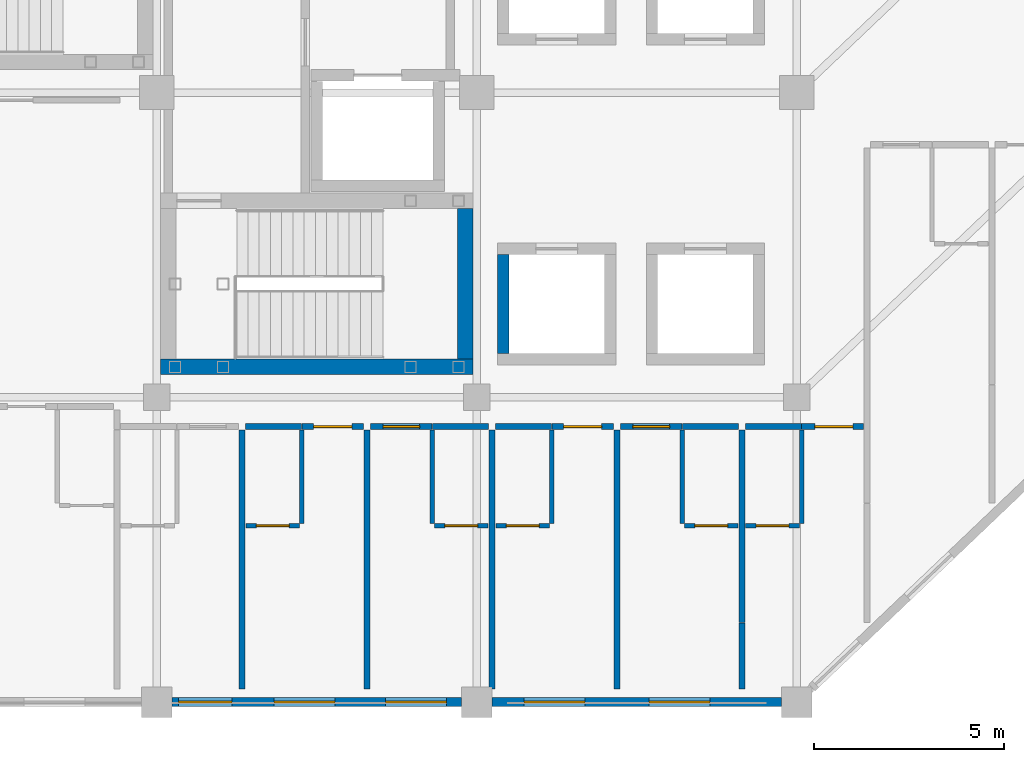
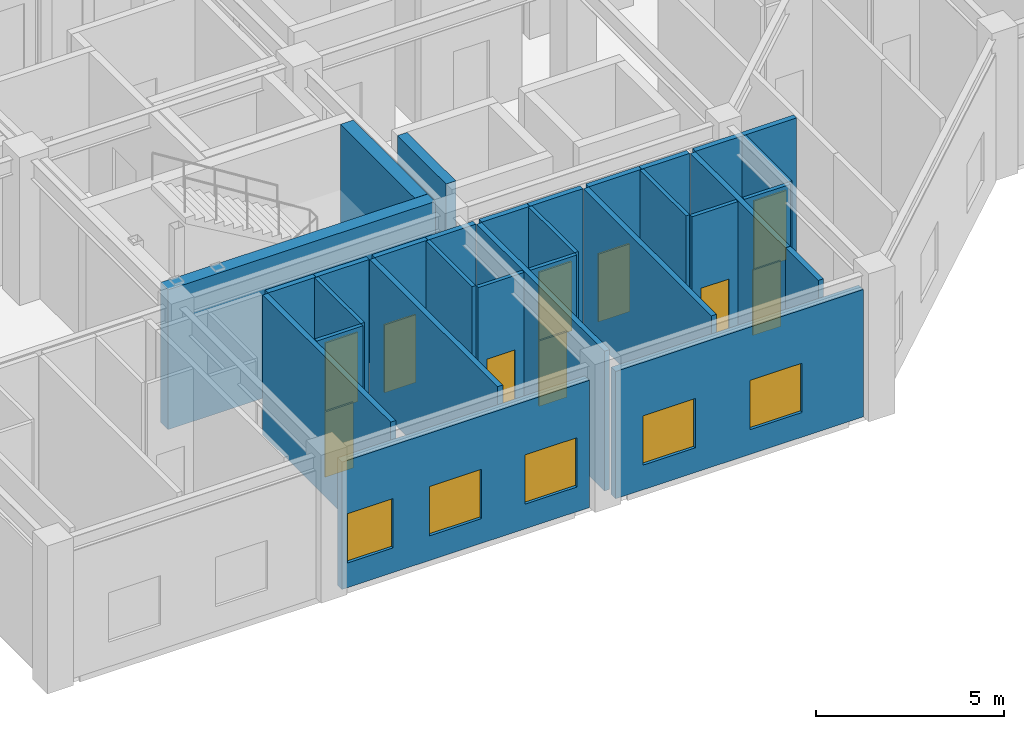
# One storey, part 24 of 37: 31 walls, 10 doors, 5 windows, 15 openings.
"""IFC4 building model written with IfcOpenShell, lengths in metres."""

from ifc_helpers import new_model, si_unit, direction, frame, frame_2d, origin, place, context, subcontext, project, spatial, rectangle, extrude, material, layer, layer_set, type_object, element, fill, save


model = new_model("IFC4")

# Units and contexts
model_context = context("Model", 3, precision=1e-05, world=origin(), true_north=direction((0.0, 1.0)))
body_context = subcontext(model_context, "Body", "Model", "MODEL_VIEW")
ifc_project = project(units=[si_unit("LENGTHUNIT", "METRE"), si_unit("AREAUNIT", "SQUARE_METRE"), si_unit("VOLUMEUNIT", "CUBIC_METRE"), si_unit("PLANEANGLEUNIT", "RADIAN"), si_unit("MASSUNIT", "GRAM", prefix="KILO")], contexts=[model_context])

# Site, building, storey
site_placement = place(None, origin())
site = spatial("IfcSite", under=ifc_project, at=site_placement, CompositionType="ELEMENT")
building_placement = place(site_placement, origin())
building = spatial("IfcBuilding", under=site, at=building_placement, Name="Naruveol Harbour Congress Hotel", CompositionType="ELEMENT")
storey_placement = place(building_placement, frame((0.0, 0.0, 16.199951171875)))
storey = spatial("IfcBuildingStorey", under=building, at=storey_placement, Name="L03", CompositionType="ELEMENT", Elevation=16.199951171875)

# Wall
ifc_material_1 = material(Name="Moisture-Resistant Gypsum Partition", Category="gypsum")
ifc_layer_1 = layer(ifc_material_1, 0.114990234375)
ifc_layer_set_1 = layer_set([ifc_layer_1], Name="Moisture-Resistant Gypsum Partition")
wall_type_1 = type_object("IfcWallType", Name="BATHROOM MOISTURE PARTITION WALL 115", PredefinedType="PARTITIONING", material=ifc_layer_set_1)
wall_1_placement = place(storey_placement, frame((129.81005859375, 4.68994140625, 0.0), z_axis=(0.0, 0.0, 1.0), x_axis=(0.0, 1.0, 0.0)))
element("IfcWall", 1, at=wall_1_placement, inside=storey, type_object=wall_type_1, Name="Bathroom east wall 0440 PW-115", PredefinedType="PARTITIONING", context=body_context, shape_type="SweptSolid", body=[
    extrude(rectangle(XDim=2.449951171875, YDim=0.114990234375, at=frame_2d((1.22509765625, 0.0))), origin(), (0.0, 0.0, 1.0), 4.53515625),
])

# Wall, opening, door
wall_2_placement = place(storey_placement, frame((128.340087890625, 4.6298828125, 0.0), z_axis=(0.0, 0.0, 1.0), x_axis=(1.0, 0.0, 0.0)))
wall_2 = element("IfcWall", 2, at=wall_2_placement, inside=storey, type_object=wall_type_1, Name="Bathroom south wall 0440 PW-115", PredefinedType="PARTITIONING", context=body_context, shape_type="SweptSolid", body=[
    extrude(rectangle(XDim=1.409912109375, YDim=0.114990234375, at=frame_2d((0.705078125, 0.0))), origin(), (0.0, 0.0, 1.0), 4.53515625),
])
opening_1_placement = place(wall_2_placement, frame((0.27490234375, 0.0, 0.0)))
opening_1 = element("IfcOpeningElement", 3, at=opening_1_placement, cuts=wall_2, Name="Opening BD-RM0440", PredefinedType="OPENING", context=body_context, shape_type="SweptSolid", body=[
    extrude(rectangle(XDim=0.860107421875, YDim=2.1201171875, at=frame_2d((0.43017578125, 1.06005859375))), frame((0.0, 0.0673828125, 0.0), z_axis=(0.0, -1.0, 0.0), x_axis=(1.0, 0.0, 0.0)), (0.0, 0.0, 1.0), 0.135009765625),
])
ifc_material_2 = material(Name="Timber & Steel Acoustic Leaf", Category="steel")
door_type_1 = type_object("IfcDoorType", Name="GUEST BATHROOM DOOR 860X2120", OperationType="NOTDEFINED", PredefinedType="DOOR", material=ifc_material_2)
door_1_placement = place(opening_1_placement, origin())
door_1 = element("IfcDoor", 4, at=door_1_placement, inside=storey, type_object=door_type_1, Name="Bathroom Door 0440", OperationType="SINGLE_SWING_RIGHT", OverallHeight=2.1201171875, OverallWidth=0.860107421875, PredefinedType="DOOR", context=body_context, shape_type="SweptSolid", body=[
    extrude(rectangle(XDim=0.860107421875, YDim=2.1201171875, at=frame_2d((0.43017578125, 1.06005859375))), frame((0.0, 0.02490234375, 0.0), z_axis=(0.0, -1.0, 0.0), x_axis=(1.0, 0.0, 0.0)), (0.0, 0.0, 1.0), 0.050048828125),
])
fill(opening_1, door_1)

# Wall
wall_3_placement = place(storey_placement, frame((133.22998046875, 4.68994140625, 0.0), z_axis=(0.0, 0.0, 1.0), x_axis=(0.0, 1.0, 0.0)))
element("IfcWall", 5, at=wall_3_placement, inside=storey, type_object=wall_type_1, Name="Bathroom west wall 0441 PW-115", PredefinedType="PARTITIONING", context=body_context, shape_type="SweptSolid", body=[
    extrude(rectangle(XDim=2.449951171875, YDim=0.114990234375, at=frame_2d((1.22509765625, 0.0))), origin(), (0.0, 0.0, 1.0), 4.53515625),
])

# Wall, opening, door
wall_4_placement = place(storey_placement, frame((133.2900390625, 4.6298828125, 0.0), z_axis=(0.0, 0.0, 1.0), x_axis=(1.0, 0.0, 0.0)))
wall_4 = element("IfcWall", 6, at=wall_4_placement, inside=storey, type_object=wall_type_1, Name="Bathroom south wall 0441 PW-115", PredefinedType="PARTITIONING", context=body_context, shape_type="SweptSolid", body=[
    extrude(rectangle(XDim=1.409912109375, YDim=0.114990234375, at=frame_2d((0.705078125, 0.0))), origin(), (0.0, 0.0, 1.0), 4.53515625),
])
opening_2_placement = place(wall_4_placement, frame((0.27490234375, 0.0, 0.0)))
opening_2 = element("IfcOpeningElement", 7, at=opening_2_placement, cuts=wall_4, Name="Opening BD-RM0441", PredefinedType="OPENING", context=body_context, shape_type="SweptSolid", body=[
    extrude(rectangle(XDim=0.860107421875, YDim=2.1201171875, at=frame_2d((0.43017578125, 1.06005859375))), frame((0.0, 0.0673828125, 0.0), z_axis=(0.0, -1.0, 0.0), x_axis=(1.0, 0.0, 0.0)), (0.0, 0.0, 1.0), 0.135009765625),
])
door_2_placement = place(opening_2_placement, origin())
door_2 = element("IfcDoor", 8, at=door_2_placement, inside=storey, type_object=door_type_1, Name="Bathroom Door 0441", OperationType="SINGLE_SWING_RIGHT", OverallHeight=2.1201171875, OverallWidth=0.860107421875, PredefinedType="DOOR", context=body_context, shape_type="SweptSolid", body=[
    extrude(rectangle(XDim=0.860107421875, YDim=2.1201171875, at=frame_2d((0.43017578125, 1.06005859375))), frame((0.0, 0.02490234375, 0.0), z_axis=(0.0, -1.0, 0.0), x_axis=(1.0, 0.0, 0.0)), (0.0, 0.0, 1.0), 0.050048828125),
])
fill(opening_2, door_2)

# Wall
wall_5_placement = place(storey_placement, frame((136.3701171875, 4.68994140625, 0.0), z_axis=(0.0, 0.0, 1.0), x_axis=(0.0, 1.0, 0.0)))
element("IfcWall", 9, at=wall_5_placement, inside=storey, type_object=wall_type_1, Name="Bathroom east wall 0442 PW-115", PredefinedType="PARTITIONING", context=body_context, shape_type="SweptSolid", body=[
    extrude(rectangle(XDim=2.449951171875, YDim=0.114990234375, at=frame_2d((1.22509765625, 0.0))), origin(), (0.0, 0.0, 1.0), 4.53515625),
])

# Wall, opening, door
wall_6_placement = place(storey_placement, frame((134.89990234375, 4.6298828125, 0.0), z_axis=(0.0, 0.0, 1.0), x_axis=(1.0, 0.0, 0.0)))
wall_6 = element("IfcWall", 10, at=wall_6_placement, inside=storey, type_object=wall_type_1, Name="Bathroom south wall 0442 PW-115", PredefinedType="PARTITIONING", context=body_context, shape_type="SweptSolid", body=[
    extrude(rectangle(XDim=1.41015625, YDim=0.114990234375, at=frame_2d((0.705078125, 0.0))), origin(), (0.0, 0.0, 1.0), 4.53515625),
])
opening_3_placement = place(wall_6_placement, frame((0.27490234375, 0.0, 0.0)))
opening_3 = element("IfcOpeningElement", 11, at=opening_3_placement, cuts=wall_6, Name="Opening BD-RM0442", PredefinedType="OPENING", context=body_context, shape_type="SweptSolid", body=[
    extrude(rectangle(XDim=0.860107421875, YDim=2.1201171875, at=frame_2d((0.43017578125, 1.06005859375))), frame((0.0, 0.0673828125, 0.0), z_axis=(0.0, -1.0, 0.0), x_axis=(1.0, 0.0, 0.0)), (0.0, 0.0, 1.0), 0.135009765625),
])
door_3_placement = place(opening_3_placement, origin())
door_3 = element("IfcDoor", 12, at=door_3_placement, inside=storey, type_object=door_type_1, Name="Bathroom Door 0442", OperationType="SINGLE_SWING_RIGHT", OverallHeight=2.1201171875, OverallWidth=0.860107421875, PredefinedType="DOOR", context=body_context, shape_type="SweptSolid", body=[
    extrude(rectangle(XDim=0.860107421875, YDim=2.1201171875, at=frame_2d((0.43017578125, 1.06005859375))), frame((0.0, 0.02490234375, 0.0), z_axis=(0.0, -1.0, 0.0), x_axis=(1.0, 0.0, 0.0)), (0.0, 0.0, 1.0), 0.050048828125),
])
fill(opening_3, door_3)

# Wall
wall_7_placement = place(storey_placement, frame((139.7900390625, 4.68994140625, 0.0), z_axis=(0.0, 0.0, 1.0), x_axis=(0.0, 1.0, 0.0)))
element("IfcWall", 13, at=wall_7_placement, inside=storey, type_object=wall_type_1, Name="Bathroom west wall 0443 PW-115", PredefinedType="PARTITIONING", context=body_context, shape_type="SweptSolid", body=[
    extrude(rectangle(XDim=2.449951171875, YDim=0.114990234375, at=frame_2d((1.22509765625, 0.0))), origin(), (0.0, 0.0, 1.0), 4.53515625),
])

# Wall, opening, door
wall_8_placement = place(storey_placement, frame((139.85009765625, 4.6298828125, 0.0), z_axis=(0.0, 0.0, 1.0), x_axis=(1.0, 0.0, 0.0)))
wall_8 = element("IfcWall", 14, at=wall_8_placement, inside=storey, type_object=wall_type_1, Name="Bathroom south wall 0443 PW-115", PredefinedType="PARTITIONING", context=body_context, shape_type="SweptSolid", body=[
    extrude(rectangle(XDim=1.409912109375, YDim=0.114990234375, at=frame_2d((0.705078125, 0.0))), origin(), (0.0, 0.0, 1.0), 4.53515625),
])
opening_4_placement = place(wall_8_placement, frame((0.27490234375, 0.0, 0.0)))
opening_4 = element("IfcOpeningElement", 15, at=opening_4_placement, cuts=wall_8, Name="Opening BD-RM0443", PredefinedType="OPENING", context=body_context, shape_type="SweptSolid", body=[
    extrude(rectangle(XDim=0.860107421875, YDim=2.1201171875, at=frame_2d((0.43017578125, 1.06005859375))), frame((0.0, 0.0673828125, 0.0), z_axis=(0.0, -1.0, 0.0), x_axis=(1.0, 0.0, 0.0)), (0.0, 0.0, 1.0), 0.135009765625),
])
door_4_placement = place(opening_4_placement, origin())
door_4 = element("IfcDoor", 16, at=door_4_placement, inside=storey, type_object=door_type_1, Name="Bathroom Door 0443", OperationType="SINGLE_SWING_RIGHT", OverallHeight=2.1201171875, OverallWidth=0.860107421875, PredefinedType="DOOR", context=body_context, shape_type="SweptSolid", body=[
    extrude(rectangle(XDim=0.860107421875, YDim=2.1201171875, at=frame_2d((0.43017578125, 1.06005859375))), frame((0.0, 0.02490234375, 0.0), z_axis=(0.0, -1.0, 0.0), x_axis=(1.0, 0.0, 0.0)), (0.0, 0.0, 1.0), 0.050048828125),
])
fill(opening_4, door_4)

# Wall
wall_9_placement = place(storey_placement, frame((142.929931640625, 4.68994140625, 0.0), z_axis=(0.0, 0.0, 1.0), x_axis=(0.0, 1.0, 0.0)))
element("IfcWall", 17, at=wall_9_placement, inside=storey, type_object=wall_type_1, Name="Bathroom east wall 0444 PW-115", PredefinedType="PARTITIONING", context=body_context, shape_type="SweptSolid", body=[
    extrude(rectangle(XDim=2.449951171875, YDim=0.114990234375, at=frame_2d((1.22509765625, 0.0))), origin(), (0.0, 0.0, 1.0), 4.53515625),
])

# Wall, opening, door
wall_10_placement = place(storey_placement, frame((141.4599609375, 4.6298828125, 0.0), z_axis=(0.0, 0.0, 1.0), x_axis=(1.0, 0.0, 0.0)))
wall_10 = element("IfcWall", 18, at=wall_10_placement, inside=storey, type_object=wall_type_1, Name="Bathroom south wall 0444 PW-115", PredefinedType="PARTITIONING", context=body_context, shape_type="SweptSolid", body=[
    extrude(rectangle(XDim=1.41015625, YDim=0.114990234375, at=frame_2d((0.705078125, 0.0))), origin(), (0.0, 0.0, 1.0), 4.53515625),
])
opening_5_placement = place(wall_10_placement, frame((0.27490234375, 0.0, 0.0)))
opening_5 = element("IfcOpeningElement", 19, at=opening_5_placement, cuts=wall_10, Name="Opening BD-RM0444", PredefinedType="OPENING", context=body_context, shape_type="SweptSolid", body=[
    extrude(rectangle(XDim=0.860107421875, YDim=2.1201171875, at=frame_2d((0.43017578125, 1.06005859375))), frame((0.0, 0.0673828125, 0.0), z_axis=(0.0, -1.0, 0.0), x_axis=(1.0, 0.0, 0.0)), (0.0, 0.0, 1.0), 0.135009765625),
])
door_5_placement = place(opening_5_placement, origin())
door_5 = element("IfcDoor", 20, at=door_5_placement, inside=storey, type_object=door_type_1, Name="Bathroom Door 0444", OperationType="SINGLE_SWING_RIGHT", OverallHeight=2.1201171875, OverallWidth=0.860107421875, PredefinedType="DOOR", context=body_context, shape_type="SweptSolid", body=[
    extrude(rectangle(XDim=0.860107421875, YDim=2.1201171875, at=frame_2d((0.43017578125, 1.06005859375))), frame((0.0, 0.02490234375, 0.0), z_axis=(0.0, -1.0, 0.0), x_axis=(1.0, 0.0, 0.0)), (0.0, 0.0, 1.0), 0.050048828125),
])
fill(opening_5, door_5)

# Wall
ifc_material_3 = material(Name="Autoclaved Aerated Concrete Block", Category="concrete")
ifc_layer_2 = layer(ifc_material_3, 0.159912109375)
ifc_layer_set_2 = layer_set([ifc_layer_2], Name="Autoclaved Aerated Concrete Block")
wall_type_2 = type_object("IfcWallType", Name="HOTEL PARTY AND CORRIDOR WALL 160 EI60", PredefinedType="PARTITIONING", material=ifc_layer_set_2)
wall_11_placement = place(storey_placement, frame((128.330078125, 7.22998046875, 0.0), z_axis=(0.0, 0.0, 1.0), x_axis=(1.0, 0.0, 0.0)))
element("IfcWall", 21, at=wall_11_placement, inside=storey, type_object=wall_type_2, Name="Corridor wall 0440B PW-160", PredefinedType="PARTITIONING", context=body_context, shape_type="SweptSolid", body=[
    extrude(rectangle(XDim=1.469970703125, YDim=0.159912109375, at=frame_2d((0.73486328125, 0.0))), origin(), (0.0, 0.0, 1.0), 4.53515625),
])

# Wall, opening, door
wall_12_placement = place(storey_placement, frame((129.81005859375, 7.22998046875, 0.0), z_axis=(0.0, 0.0, 1.0), x_axis=(1.0, 0.0, 0.0)))
wall_12 = element("IfcWall", 22, at=wall_12_placement, inside=storey, type_object=wall_type_2, Name="Corridor entry wall 0440 PW-160", PredefinedType="PARTITIONING", context=body_context, shape_type="SweptSolid", body=[
    extrude(rectangle(XDim=1.619873046875, YDim=0.159912109375, at=frame_2d((0.81005859375, 0.0))), origin(), (0.0, 0.0, 1.0), 4.53515625),
])
opening_6_placement = place(wall_12_placement, frame((0.31005859375, 0.0, 0.0)))
opening_6 = element("IfcOpeningElement", 23, at=opening_6_placement, cuts=wall_12, Name="Opening FD-RM0440", PredefinedType="OPENING", context=body_context, shape_type="SweptSolid", body=[
    extrude(rectangle(XDim=1.0, YDim=2.25, at=frame_2d((0.5, 1.125))), frame((0.0, 0.08984375, 0.0), z_axis=(0.0, -1.0, 0.0), x_axis=(1.0, 0.0, 0.0)), (0.0, 0.0, 1.0), 0.179931640625),
])
ifc_material_4 = material(Name="Timber & Steel Acoustic Leaf", Category="steel")
door_type_2 = type_object("IfcDoorType", Name="DELUXE GUEST ENTRANCE FIRE DOOR 1000X2250", OperationType="NOTDEFINED", PredefinedType="DOOR", material=ifc_material_4)
door_6_placement = place(opening_6_placement, origin())
door_6 = element("IfcDoor", 24, at=door_6_placement, inside=storey, type_object=door_type_2, Name="Hotel Room Door 0440", OperationType="SINGLE_SWING_LEFT", OverallHeight=2.25, OverallWidth=1.0, PredefinedType="DOOR", context=body_context, shape_type="SweptSolid", body=[
    extrude(rectangle(XDim=1.0, YDim=2.25, at=frame_2d((0.5, 1.125))), frame((0.0, 0.02490234375, 0.0), z_axis=(0.0, -1.0, 0.0), x_axis=(1.0, 0.0, 0.0)), (0.0, 0.0, 1.0), 0.050048828125),
])
fill(opening_6, door_6)

# Wall
wall_13_placement = place(storey_placement, frame((128.239990234375, 0.340087890625, 0.0), z_axis=(0.0, 0.0, 1.0), x_axis=(0.0, 1.0, 0.0)))
element("IfcWall", 25, at=wall_13_placement, inside=storey, type_object=wall_type_2, Name="Hotel party wall 0440 PW-160", PredefinedType="PARTITIONING", context=body_context, shape_type="SweptSolid", body=[
    extrude(rectangle(XDim=6.7998046875, YDim=0.159912109375, at=frame_2d((3.39990234375, 0.0))), origin(), (0.0, 0.0, 1.0), 4.53515625),
])

# Wall, opening, door
wall_14_placement = place(storey_placement, frame((131.610107421875, 7.22998046875, 0.0), z_axis=(0.0, 0.0, 1.0), x_axis=(1.0, 0.0, 0.0)))
wall_14 = element("IfcWall", 26, at=wall_14_placement, inside=storey, type_object=wall_type_2, Name="Corridor entry wall 0441 PW-160", PredefinedType="PARTITIONING", context=body_context, shape_type="SweptSolid", body=[
    extrude(rectangle(XDim=1.619873046875, YDim=0.159912109375, at=frame_2d((0.81005859375, 0.0))), origin(), (0.0, 0.0, 1.0), 4.53515625),
])
opening_7_placement = place(wall_14_placement, frame((0.330078125, 0.0, 0.0)))
opening_7 = element("IfcOpeningElement", 27, at=opening_7_placement, cuts=wall_14, Name="Opening FD-RM0441", PredefinedType="OPENING", context=body_context, shape_type="SweptSolid", body=[
    extrude(rectangle(XDim=0.9599609375, YDim=2.199951171875, at=frame_2d((0.47998046875, 1.10009765625))), frame((0.0, 0.08984375, 0.0), z_axis=(0.0, -1.0, 0.0), x_axis=(1.0, 0.0, 0.0)), (0.0, 0.0, 1.0), 0.179931640625),
])
ifc_material_5 = material(Name="Timber & Steel Acoustic Leaf", Category="steel")
door_type_3 = type_object("IfcDoorType", Name="GUEST ROOM ENTRANCE FIRE DOOR 960X2200", OperationType="NOTDEFINED", PredefinedType="DOOR", material=ifc_material_5)
door_7_placement = place(opening_7_placement, origin())
door_7 = element("IfcDoor", 28, at=door_7_placement, inside=storey, type_object=door_type_3, Name="Hotel Room Door 0441", OperationType="SINGLE_SWING_LEFT", OverallHeight=2.199951171875, OverallWidth=0.9599609375, PredefinedType="DOOR", context=body_context, shape_type="SweptSolid", body=[
    extrude(rectangle(XDim=0.9599609375, YDim=2.199951171875, at=frame_2d((0.47998046875, 1.10009765625))), frame((0.0, 0.02490234375, 0.0), z_axis=(0.0, -1.0, 0.0), x_axis=(1.0, 0.0, 0.0)), (0.0, 0.0, 1.0), 0.050048828125),
])
fill(opening_7, door_7)

# Walls
wall_15_placement = place(storey_placement, frame((133.239990234375, 7.22998046875, 0.0), z_axis=(0.0, 0.0, 1.0), x_axis=(1.0, 0.0, 0.0)))
element("IfcWall", 29, at=wall_15_placement, inside=storey, type_object=wall_type_2, Name="Corridor wall 0441B PW-160", PredefinedType="PARTITIONING", context=body_context, shape_type="SweptSolid", body=[
    extrude(rectangle(XDim=1.469970703125, YDim=0.159912109375, at=frame_2d((0.73486328125, 0.0))), origin(), (0.0, 0.0, 1.0), 4.53515625),
])
wall_16_placement = place(storey_placement, frame((131.52001953125, 0.340087890625, 0.0), z_axis=(0.0, 0.0, 1.0), x_axis=(0.0, 1.0, 0.0)))
element("IfcWall", 30, at=wall_16_placement, inside=storey, type_object=wall_type_2, Name="Hotel party wall 0441 PW-160", PredefinedType="PARTITIONING", context=body_context, shape_type="SweptSolid", body=[
    extrude(rectangle(XDim=6.7998046875, YDim=0.159912109375, at=frame_2d((3.39990234375, 0.0))), origin(), (0.0, 0.0, 1.0), 4.53515625),
])
wall_17_placement = place(storey_placement, frame((134.889892578125, 7.22998046875, 0.0), z_axis=(0.0, 0.0, 1.0), x_axis=(1.0, 0.0, 0.0)))
element("IfcWall", 31, at=wall_17_placement, inside=storey, type_object=wall_type_2, Name="Corridor wall 0442B PW-160", PredefinedType="PARTITIONING", context=body_context, shape_type="SweptSolid", body=[
    extrude(rectangle(XDim=1.47021484375, YDim=0.159912109375, at=frame_2d((0.735107421875, 0.0))), origin(), (0.0, 0.0, 1.0), 4.53515625),
])

# Wall, opening, door
wall_18_placement = place(storey_placement, frame((136.3701171875, 7.22998046875, 0.0), z_axis=(0.0, 0.0, 1.0), x_axis=(1.0, 0.0, 0.0)))
wall_18 = element("IfcWall", 32, at=wall_18_placement, inside=storey, type_object=wall_type_2, Name="Corridor entry wall 0442 PW-160", PredefinedType="PARTITIONING", context=body_context, shape_type="SweptSolid", body=[
    extrude(rectangle(XDim=1.619873046875, YDim=0.159912109375, at=frame_2d((0.81005859375, 0.0))), origin(), (0.0, 0.0, 1.0), 4.53515625),
])
opening_8_placement = place(wall_18_placement, frame((0.31005859375, 0.0, 0.0)))
opening_8 = element("IfcOpeningElement", 33, at=opening_8_placement, cuts=wall_18, Name="Opening FD-RM0442", PredefinedType="OPENING", context=body_context, shape_type="SweptSolid", body=[
    extrude(rectangle(XDim=1.0, YDim=2.25, at=frame_2d((0.5, 1.125))), frame((0.0, 0.08984375, 0.0), z_axis=(0.0, -1.0, 0.0), x_axis=(1.0, 0.0, 0.0)), (0.0, 0.0, 1.0), 0.179931640625),
])
door_8_placement = place(opening_8_placement, origin())
door_8 = element("IfcDoor", 34, at=door_8_placement, inside=storey, type_object=door_type_2, Name="Hotel Room Door 0442", OperationType="SINGLE_SWING_LEFT", OverallHeight=2.25, OverallWidth=1.0, PredefinedType="DOOR", context=body_context, shape_type="SweptSolid", body=[
    extrude(rectangle(XDim=1.0, YDim=2.25, at=frame_2d((0.5, 1.125))), frame((0.0, 0.02490234375, 0.0), z_axis=(0.0, -1.0, 0.0), x_axis=(1.0, 0.0, 0.0)), (0.0, 0.0, 1.0), 0.050048828125),
])
fill(opening_8, door_8)

# Wall
wall_19_placement = place(storey_placement, frame((134.800048828125, 0.340087890625, 0.0), z_axis=(0.0, 0.0, 1.0), x_axis=(0.0, 1.0, 0.0)))
element("IfcWall", 35, at=wall_19_placement, inside=storey, type_object=wall_type_2, Name="Hotel party wall 0442 PW-160", PredefinedType="PARTITIONING", context=body_context, shape_type="SweptSolid", body=[
    extrude(rectangle(XDim=6.7998046875, YDim=0.159912109375, at=frame_2d((3.39990234375, 0.0))), origin(), (0.0, 0.0, 1.0), 4.53515625),
])

# Wall, opening, door
wall_20_placement = place(storey_placement, frame((138.169921875, 7.22998046875, 0.0), z_axis=(0.0, 0.0, 1.0), x_axis=(1.0, 0.0, 0.0)))
wall_20 = element("IfcWall", 36, at=wall_20_placement, inside=storey, type_object=wall_type_2, Name="Corridor entry wall 0443 PW-160", PredefinedType="PARTITIONING", context=body_context, shape_type="SweptSolid", body=[
    extrude(rectangle(XDim=1.6201171875, YDim=0.159912109375, at=frame_2d((0.81005859375, 0.0))), origin(), (0.0, 0.0, 1.0), 4.53515625),
])
opening_9_placement = place(wall_20_placement, frame((0.330078125, 0.0, 0.0)))
opening_9 = element("IfcOpeningElement", 37, at=opening_9_placement, cuts=wall_20, Name="Opening FD-RM0443", PredefinedType="OPENING", context=body_context, shape_type="SweptSolid", body=[
    extrude(rectangle(XDim=0.9599609375, YDim=2.199951171875, at=frame_2d((0.47998046875, 1.10009765625))), frame((0.0, 0.08984375, 0.0), z_axis=(0.0, -1.0, 0.0), x_axis=(1.0, 0.0, 0.0)), (0.0, 0.0, 1.0), 0.179931640625),
])
door_9_placement = place(opening_9_placement, origin())
door_9 = element("IfcDoor", 38, at=door_9_placement, inside=storey, type_object=door_type_3, Name="Hotel Room Door 0443", OperationType="SINGLE_SWING_LEFT", OverallHeight=2.199951171875, OverallWidth=0.9599609375, PredefinedType="DOOR", context=body_context, shape_type="SweptSolid", body=[
    extrude(rectangle(XDim=0.9599609375, YDim=2.199951171875, at=frame_2d((0.47998046875, 1.10009765625))), frame((0.0, 0.02490234375, 0.0), z_axis=(0.0, -1.0, 0.0), x_axis=(1.0, 0.0, 0.0)), (0.0, 0.0, 1.0), 0.050048828125),
])
fill(opening_9, door_9)

# Walls
wall_21_placement = place(storey_placement, frame((139.800048828125, 7.22998046875, 0.0), z_axis=(0.0, 0.0, 1.0), x_axis=(1.0, 0.0, 0.0)))
element("IfcWall", 39, at=wall_21_placement, inside=storey, type_object=wall_type_2, Name="Corridor wall 0443B PW-160", PredefinedType="PARTITIONING", context=body_context, shape_type="SweptSolid", body=[
    extrude(rectangle(XDim=1.469970703125, YDim=0.159912109375, at=frame_2d((0.73486328125, 0.0))), origin(), (0.0, 0.0, 1.0), 4.53515625),
])
wall_22_placement = place(storey_placement, frame((138.080078125, 0.340087890625, 0.0), z_axis=(0.0, 0.0, 1.0), x_axis=(0.0, 1.0, 0.0)))
element("IfcWall", 40, at=wall_22_placement, inside=storey, type_object=wall_type_2, Name="Hotel party wall 0443 PW-160", PredefinedType="PARTITIONING", context=body_context, shape_type="SweptSolid", body=[
    extrude(rectangle(XDim=6.7998046875, YDim=0.159912109375, at=frame_2d((3.39990234375, 0.0))), origin(), (0.0, 0.0, 1.0), 4.53515625),
])
wall_23_placement = place(storey_placement, frame((141.360107421875, 0.340087890625, 0.0), z_axis=(0.0, 0.0, 1.0), x_axis=(0.0, 1.0, 0.0)))
element("IfcWall", 41, at=wall_23_placement, inside=storey, type_object=wall_type_2, Name="Hotel end party wall 0443 PW-160", PredefinedType="PARTITIONING", context=body_context, shape_type="SweptSolid", body=[
    extrude(rectangle(XDim=1.739990234375, YDim=0.159912109375, at=frame_2d((0.8701171875, 0.0))), origin(), (0.0, 0.0, 1.0), 4.53515625),
])
wall_24_placement = place(storey_placement, frame((141.449951171875, 7.22998046875, 0.0), z_axis=(0.0, 0.0, 1.0), x_axis=(1.0, 0.0, 0.0)))
element("IfcWall", 42, at=wall_24_placement, inside=storey, type_object=wall_type_2, Name="Corridor wall 0444B PW-160", PredefinedType="PARTITIONING", context=body_context, shape_type="SweptSolid", body=[
    extrude(rectangle(XDim=1.469970703125, YDim=0.159912109375, at=frame_2d((0.73486328125, 0.0))), origin(), (0.0, 0.0, 1.0), 4.53515625),
])

# Wall, opening, door
wall_25_placement = place(storey_placement, frame((142.929931640625, 7.22998046875, 0.0), z_axis=(0.0, 0.0, 1.0), x_axis=(1.0, 0.0, 0.0)))
wall_25 = element("IfcWall", 43, at=wall_25_placement, inside=storey, type_object=wall_type_2, Name="Corridor entry wall 0444 PW-160", PredefinedType="PARTITIONING", context=body_context, shape_type="SweptSolid", body=[
    extrude(rectangle(XDim=1.6201171875, YDim=0.159912109375, at=frame_2d((0.81005859375, 0.0))), origin(), (0.0, 0.0, 1.0), 4.53515625),
])
opening_10_placement = place(wall_25_placement, frame((0.345947265625, 0.0, 0.0)))
opening_10 = element("IfcOpeningElement", 44, at=opening_10_placement, cuts=wall_25, Name="Opening FD-RM0444", PredefinedType="OPENING", context=body_context, shape_type="SweptSolid", body=[
    extrude(rectangle(XDim=1.0, YDim=2.25, at=frame_2d((0.5, 1.125))), frame((0.0, 0.08984375, 0.0), z_axis=(0.0, -1.0, 0.0), x_axis=(1.0, 0.0, 0.0)), (0.0, 0.0, 1.0), 0.179931640625),
])
door_10_placement = place(opening_10_placement, origin())
door_10 = element("IfcDoor", 45, at=door_10_placement, inside=storey, type_object=door_type_2, Name="Hotel Room Door 0444", OperationType="SINGLE_SWING_LEFT", OverallHeight=2.25, OverallWidth=1.0, PredefinedType="DOOR", context=body_context, shape_type="SweptSolid", body=[
    extrude(rectangle(XDim=1.0, YDim=2.25, at=frame_2d((0.5, 1.125))), frame((0.0, 0.02490234375, 0.0), z_axis=(0.0, -1.0, 0.0), x_axis=(1.0, 0.0, 0.0)), (0.0, 0.0, 1.0), 0.050048828125),
])
fill(opening_10, door_10)

# Wall
wall_26_placement = place(storey_placement, frame((141.360107421875, 2.090087890625, 0.0), z_axis=(0.0, 0.0, 1.0), x_axis=(0.0, 1.0, 0.0)))
element("IfcWall", 46, at=wall_26_placement, inside=storey, type_object=wall_type_2, Name="Hotel party wall 0444 PW-160", PredefinedType="PARTITIONING", context=body_context, shape_type="SweptSolid", body=[
    extrude(rectangle(XDim=5.0498046875, YDim=0.159912109375, at=frame_2d((2.52490234375, 0.0))), origin(), (0.0, 0.0, 1.0), 4.53515625),
])

# Wall, openings, windows
ifc_material_6 = material(Name="Concrete C40/50", Category="concrete")
ifc_layer_3 = layer(ifc_material_6, 0.239990234375)
ifc_layer_set_3 = layer_set([ifc_layer_3], Name="Concrete C40/50")
wall_type_3 = type_object("IfcWallType", Name="INSULATED HOTEL SPANDREL WALL 240", PredefinedType="SOLIDWALL", material=ifc_layer_set_3)
wall_27_placement = place(storey_placement, frame((134.0, 0.0, 0.0), z_axis=(0.0, 0.0, 1.0), x_axis=(-1.0, 0.0, 0.0)))
wall_27 = element("IfcWall", 47, at=wall_27_placement, inside=storey, type_object=wall_type_3, Name="Hotel south waterfront wall L03 EW-240", PredefinedType="SOLIDWALL", context=body_context, shape_type="SweptSolid", body=[
    extrude(rectangle(XDim=7.60009765625, YDim=0.239990234375, at=frame_2d((3.800048828125, 0.0))), origin(), (0.0, 0.0, 1.0), 4.130126953125),
])
opening_11_placement = place(wall_27_placement, frame((0.389892578125, 0.0, 0.800048828125)))
opening_11 = element("IfcOpeningElement", 48, at=opening_11_placement, cuts=wall_27, Name="Opening W-03", PredefinedType="OPENING", context=body_context, shape_type="SweptSolid", body=[
    extrude(rectangle(XDim=1.60009765625, YDim=1.60009765625, at=frame_2d((0.800048828125, 0.800048828125))), frame((0.0, 0.1298828125, 0.0), z_axis=(0.0, -1.0, 0.0), x_axis=(1.0, 0.0, 0.0)), (0.0, 0.0, 1.0), 0.260009765625),
])
opening_12_placement = place(wall_27_placement, frame((3.320068359375, 0.0, 0.800048828125)))
opening_12 = element("IfcOpeningElement", 49, at=opening_12_placement, cuts=wall_27, Name="Opening W-03", PredefinedType="OPENING", context=body_context, shape_type="SweptSolid", body=[
    extrude(rectangle(XDim=1.60009765625, YDim=1.60009765625, at=frame_2d((0.800048828125, 0.800048828125))), frame((0.0, 0.1298828125, 0.0), z_axis=(0.0, -1.0, 0.0), x_axis=(1.0, 0.0, 0.0)), (0.0, 0.0, 1.0), 0.260009765625),
])
opening_13_placement = place(wall_27_placement, frame((6.030029296875, 0.0, 0.800048828125)))
opening_13 = element("IfcOpeningElement", 50, at=opening_13_placement, cuts=wall_27, Name="Opening W-02", PredefinedType="OPENING", context=body_context, shape_type="SweptSolid", body=[
    extrude(rectangle(XDim=1.39990234375, YDim=1.60009765625, at=frame_2d((0.699951171875, 0.800048828125))), frame((0.0, 0.1298828125, 0.0), z_axis=(0.0, -1.0, 0.0), x_axis=(1.0, 0.0, 0.0)), (0.0, 0.0, 1.0), 0.260009765625),
])
ifc_material_7 = material(Name="Low-E Triple Glazing in Thermal Aluminium", Category="aluminium")
window_type_1 = type_object("IfcWindowType", Name="DELUXE GUEST WINDOW 1600X1600", PartitioningType="SINGLE_PANEL", PredefinedType="WINDOW", material=ifc_material_7)
window_1_placement = place(opening_11_placement, origin())
window_1 = element("IfcWindow", 51, at=window_1_placement, inside=storey, type_object=window_type_1, Name="Window W-03 #229", OverallHeight=1.60009765625, OverallWidth=1.60009765625, PartitioningType="SINGLE_PANEL", PredefinedType="WINDOW", context=body_context, shape_type="SweptSolid", body=[
    extrude(rectangle(XDim=1.60009765625, YDim=1.60009765625, at=frame_2d((0.800048828125, 0.800048828125))), frame((0.0, 0.030029296875, 0.0), z_axis=(0.0, -1.0, 0.0), x_axis=(1.0, 0.0, 0.0)), (0.0, 0.0, 1.0), 0.06005859375),
])
fill(opening_11, window_1)
window_2_placement = place(opening_12_placement, origin())
window_2 = element("IfcWindow", 52, at=window_2_placement, inside=storey, type_object=window_type_1, Name="Window W-03 #230", OverallHeight=1.60009765625, OverallWidth=1.60009765625, PartitioningType="SINGLE_PANEL", PredefinedType="WINDOW", context=body_context, shape_type="SweptSolid", body=[
    extrude(rectangle(XDim=1.60009765625, YDim=1.60009765625, at=frame_2d((0.800048828125, 0.800048828125))), frame((0.0, 0.030029296875, 0.0), z_axis=(0.0, -1.0, 0.0), x_axis=(1.0, 0.0, 0.0)), (0.0, 0.0, 1.0), 0.06005859375),
])
fill(opening_12, window_2)
ifc_material_8 = material(Name="Low-E Triple Glazing in Thermal Aluminium", Category="aluminium")
window_type_2 = type_object("IfcWindowType", Name="GUEST ROOM HARBOUR WINDOW 1400X1600", PartitioningType="SINGLE_PANEL", PredefinedType="WINDOW", material=ifc_material_8)
window_3_placement = place(opening_13_placement, origin())
window_3 = element("IfcWindow", 53, at=window_3_placement, inside=storey, type_object=window_type_2, Name="Window W-02 #231", OverallHeight=1.60009765625, OverallWidth=1.39990234375, PartitioningType="SINGLE_PANEL", PredefinedType="WINDOW", context=body_context, shape_type="SweptSolid", body=[
    extrude(rectangle(XDim=1.39990234375, YDim=1.60009765625, at=frame_2d((0.699951171875, 0.800048828125))), frame((0.0, 0.030029296875, 0.0), z_axis=(0.0, -1.0, 0.0), x_axis=(1.0, 0.0, 0.0)), (0.0, 0.0, 1.0), 0.06005859375),
])
fill(opening_13, window_3)

wall_28_placement = place(storey_placement, frame((142.39990234375, 0.0, 0.0), z_axis=(0.0, 0.0, 1.0), x_axis=(-1.0, 0.0, 0.0)))
wall_28 = element("IfcWall", 54, at=wall_28_placement, inside=storey, type_object=wall_type_3, Name="Hotel south waterfront wall L03 EW-240", PredefinedType="SOLIDWALL", context=body_context, shape_type="SweptSolid", body=[
    extrude(rectangle(XDim=7.599853515625, YDim=0.239990234375, at=frame_2d((3.7998046875, 0.0))), origin(), (0.0, 0.0, 1.0), 4.130126953125),
])
opening_14_placement = place(wall_28_placement, frame((1.8798828125, 0.0, 0.800048828125)))
opening_14 = element("IfcOpeningElement", 55, at=opening_14_placement, cuts=wall_28, Name="Opening W-03", PredefinedType="OPENING", context=body_context, shape_type="SweptSolid", body=[
    extrude(rectangle(XDim=1.60009765625, YDim=1.60009765625, at=frame_2d((0.800048828125, 0.800048828125))), frame((0.0, 0.1298828125, 0.0), z_axis=(0.0, -1.0, 0.0), x_axis=(1.0, 0.0, 0.0)), (0.0, 0.0, 1.0), 0.260009765625),
])
opening_15_placement = place(wall_28_placement, frame((5.159912109375, 0.0, 0.800048828125)))
opening_15 = element("IfcOpeningElement", 56, at=opening_15_placement, cuts=wall_28, Name="Opening W-03", PredefinedType="OPENING", context=body_context, shape_type="SweptSolid", body=[
    extrude(rectangle(XDim=1.60009765625, YDim=1.60009765625, at=frame_2d((0.800048828125, 0.800048828125))), frame((0.0, 0.1298828125, 0.0), z_axis=(0.0, -1.0, 0.0), x_axis=(1.0, 0.0, 0.0)), (0.0, 0.0, 1.0), 0.260009765625),
])
window_4_placement = place(opening_14_placement, origin())
window_4 = element("IfcWindow", 57, at=window_4_placement, inside=storey, type_object=window_type_1, Name="Window W-03 #235", OverallHeight=1.60009765625, OverallWidth=1.60009765625, PartitioningType="SINGLE_PANEL", PredefinedType="WINDOW", context=body_context, shape_type="SweptSolid", body=[
    extrude(rectangle(XDim=1.60009765625, YDim=1.60009765625, at=frame_2d((0.800048828125, 0.800048828125))), frame((0.0, 0.030029296875, 0.0), z_axis=(0.0, -1.0, 0.0), x_axis=(1.0, 0.0, 0.0)), (0.0, 0.0, 1.0), 0.06005859375),
])
fill(opening_14, window_4)
window_5_placement = place(opening_15_placement, origin())
window_5 = element("IfcWindow", 58, at=window_5_placement, inside=storey, type_object=window_type_1, Name="Window W-03 #236", OverallHeight=1.60009765625, OverallWidth=1.60009765625, PartitioningType="SINGLE_PANEL", PredefinedType="WINDOW", context=body_context, shape_type="SweptSolid", body=[
    extrude(rectangle(XDim=1.60009765625, YDim=1.60009765625, at=frame_2d((0.800048828125, 0.800048828125))), frame((0.0, 0.030029296875, 0.0), z_axis=(0.0, -1.0, 0.0), x_axis=(1.0, 0.0, 0.0)), (0.0, 0.0, 1.0), 0.06005859375),
])
fill(opening_15, window_5)

# Walls
ifc_material_9 = material(Name="Concrete C50/60", Category="concrete")
ifc_layer_4 = layer(ifc_material_9, 0.39990234375)
ifc_layer_set_4 = layer_set([ifc_layer_4], Name="Concrete C50/60")
wall_type_4 = type_object("IfcWallType", Name="RC CORE SHEAR WALL 400 EI120", PredefinedType="SHEAR", material=ifc_layer_set_4)
wall_29_placement = place(storey_placement, frame((126.10009765625, 8.800048828125, 0.0), z_axis=(0.0, 0.0, 1.0), x_axis=(1.0, 0.0, 0.0)))
element("IfcWall", 59, at=wall_29_placement, inside=storey, type_object=wall_type_4, Name="Stair ST1 south core wall CW-400", PredefinedType="SHEAR", context=body_context, shape_type="SweptSolid", body=[
    extrude(rectangle(XDim=8.199951171875, YDim=0.39990234375, at=frame_2d((4.10009765625, 0.0))), origin(), (0.0, 0.0, 1.0), 4.53515625),
])
wall_30_placement = place(storey_placement, frame((134.10009765625, 9.0048828125, 0.0), z_axis=(0.0, 0.0, 1.0), x_axis=(0.0, 1.0, 0.0)))
element("IfcWall", 60, at=wall_30_placement, inside=storey, type_object=wall_type_4, Name="Stair ST1 east core wall CW-400", PredefinedType="SHEAR", context=body_context, shape_type="SweptSolid", body=[
    extrude(rectangle(XDim=3.9501953125, YDim=0.39990234375, at=frame_2d((1.97509765625, 0.0))), origin(), (0.0, 0.0, 1.0), 4.53515625),
])
ifc_material_10 = material(Name="Concrete C50/60", Category="concrete")
ifc_layer_5 = layer(ifc_material_10, 0.300048828125)
ifc_layer_set_5 = layer_set([ifc_layer_5], Name="Concrete C50/60")
wall_type_5 = type_object("IfcWallType", Name="RC STAIR AND HOISTWAY SHEAR WALL 300 EI120", PredefinedType="SHEAR", material=ifc_layer_set_5)
wall_31_placement = place(storey_placement, frame((135.10009765625, 11.7451171875, 0.0), z_axis=(0.0, 0.0, 1.0), x_axis=(0.0, -1.0, 0.0)))
element("IfcWall", 61, at=wall_31_placement, inside=storey, type_object=wall_type_5, Name="Hoistway west shear wall PL3 SW-300", PredefinedType="SHEAR", context=body_context, shape_type="SweptSolid", body=[
    extrude(rectangle(XDim=2.590087890625, YDim=0.300048828125, at=frame_2d((1.294921875, 0.0))), origin(), (0.0, 0.0, 1.0), 4.53515625),
])

save(model, "model.ifc")
